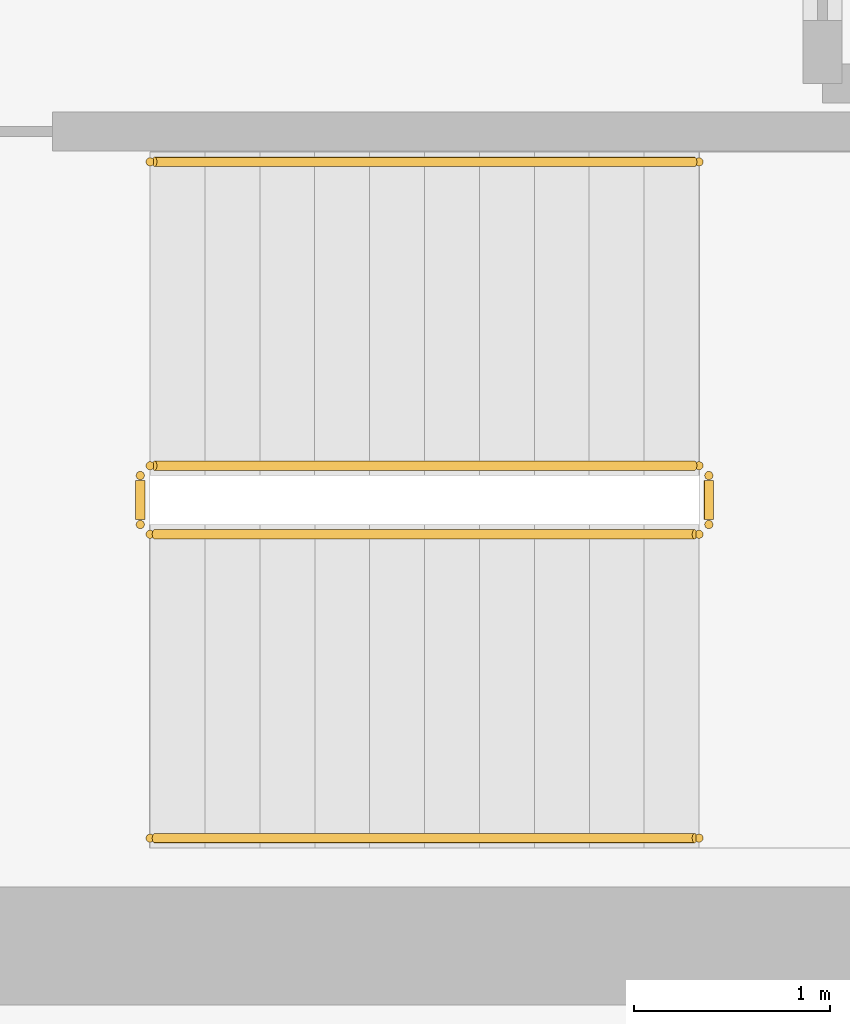
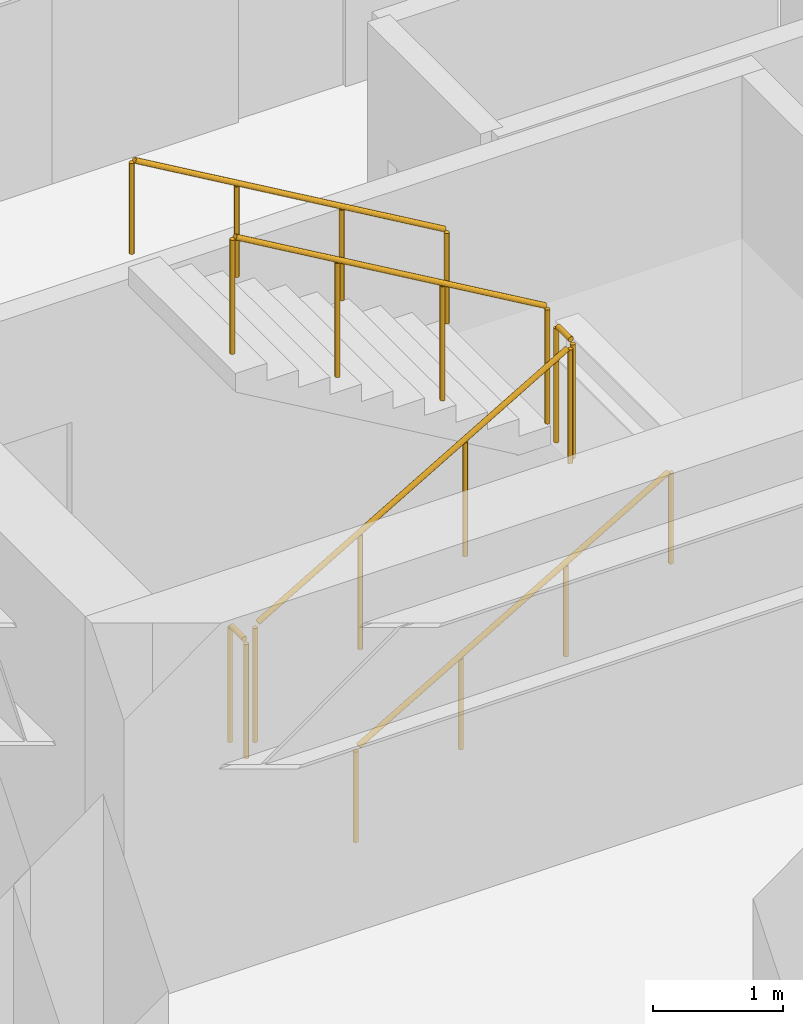
# One storey, part 12 of 12: 6 railings.
"""IFC4 building model written with IfcOpenShell, lengths in metres."""

from ifc_helpers import new_model, si_unit, direction, frame, origin, origin_2d, place, context, subcontext, project, spatial, circle, extrude, source, transform, mapped, material, layer, layer_set, type_object, element, save


model = new_model("IFC4")

# Units and contexts
model_context = context("Model", 3, precision=1e-05, world=origin(), true_north=direction((0.0, 1.0)))
body_context = subcontext(model_context, "Body", "Model", "MODEL_VIEW")
ifc_project = project(units=[si_unit("LENGTHUNIT", "METRE"), si_unit("AREAUNIT", "SQUARE_METRE"), si_unit("VOLUMEUNIT", "CUBIC_METRE"), si_unit("PLANEANGLEUNIT", "RADIAN"), si_unit("MASSUNIT", "GRAM", prefix="KILO")], contexts=[model_context])

# Site, building, storey
site_placement = place(None, origin())
site = spatial("IfcSite", under=ifc_project, at=site_placement, CompositionType="ELEMENT")
building_placement = place(site_placement, origin())
building = spatial("IfcBuilding", under=site, at=building_placement, Name="Kharzan Plaza Tower", CompositionType="ELEMENT")
storey_placement = place(building_placement, frame((0.0, 0.0, 204.300048828125)))
storey = spatial("IfcBuildingStorey", under=building, at=storey_placement, Name="L55", CompositionType="ELEMENT", Elevation=204.300048828125)

# Railings
ifc_material_1 = material(Name="Painted Galvanized Architectural Steel", Category="steel")
ifc_layer_1 = layer(ifc_material_1, 0.074951171875)
ifc_layer_set_1 = layer_set([ifc_layer_1], Name="Painted Galvanized Architectural Steel")
railing_type_1 = type_object("IfcRailingType", Name="RL-GUARD-1120", PredefinedType="BALUSTRADE", material=ifc_layer_set_1)
shared_shape_1 = source(origin(), body_context, "Body", "SweptSolid", [
    extrude(circle(Radius=0.02392578125, at=origin_2d()), frame((0.0, 0.0263671875, 1.09619140625), z_axis=(0.0, 1.0, 0.0), x_axis=(-1.0, 0.0, 0.0)), (0.0, 0.0, 1.0), 0.197021484375),
    extrude(circle(Radius=0.02099609375, at=origin_2d()), origin(), (0.0, 0.0, 1.0), 1.072021484375),
    extrude(circle(Radius=0.02099609375, at=origin_2d()), frame((0.0, 0.25, 0.0)), (0.0, 0.0, 1.0), 1.072021484375),
])
for number, where, name in (
    (1, (41.10009765625, 6.64990234375, 1.800048828125), "L55 ST-3 stair guard 2"),
    (2, (38.199951171875, 6.64990234375, 0.0), "L55 ST-3 stair guard 4"),
):
    element("IfcRailing", number, at=place(storey_placement, frame(where)), inside=storey, type_object=railing_type_1, Name=name, PredefinedType="BALUSTRADE", context=body_context, shape_type="MappedRepresentation", body=[
        mapped(shared_shape_1, transform((0.0, 0.0, 0.0), x_axis=(1.0, 0.0, 0.0), y_axis=(0.0, 1.0, 0.0), z_axis=(0.0, 0.0, 1.0))),
    ])
shared_shape_2 = source(origin(), body_context, "Body", "SweptSolid", [
    extrude(circle(Radius=0.02392578125, at=origin_2d()), frame((0.02294921875, 0.0, 1.109375), z_axis=(0.863360870873, 0.0, 0.504586966384), x_axis=(0.0, 1.0, 0.0)), (0.0, 0.0, 1.0), 3.190185546875),
    extrude(circle(Radius=0.02099609375, at=origin_2d()), origin(), (0.0, 0.0, 1.0), 1.072021484375),
    extrude(circle(Radius=0.02099609375, at=origin_2d()), frame((0.933349609375, 0.0, 0.54541015625)), (0.0, 0.0, 1.0), 1.072021484375),
    extrude(circle(Radius=0.02099609375, at=origin_2d()), frame((1.86669921875, 0.0, 1.091064453125)), (0.0, 0.0, 1.0), 1.072021484375),
    extrude(circle(Radius=0.02099609375, at=origin_2d()), frame((2.800048828125, 0.0, 1.636474609375)), (0.0, 0.0, 1.0), 1.072021484375),
])
railing_1_placement = place(storey_placement, frame((38.25, 6.60009765625, 0.16357421875)))
element("IfcRailing", 3, at=railing_1_placement, inside=storey, type_object=railing_type_1, Name="L55 ST-3 stair guard 1", PredefinedType="BALUSTRADE", context=body_context, shape_type="MappedRepresentation", body=[
    mapped(shared_shape_2, transform((0.0, 0.0, 0.0), x_axis=(1.0, 0.0, 0.0), y_axis=(0.0, 1.0, 0.0), z_axis=(0.0, 0.0, 1.0))),
])
ifc_material_2 = material(Name="Brushed Stainless Steel", Category="steel")
ifc_layer_2 = layer(ifc_material_2, 0.050048828125)
ifc_layer_set_2 = layer_set([ifc_layer_2], Name="Brushed Stainless Steel")
railing_type_2 = type_object("IfcRailingType", Name="RL-STAIR-HR920", PredefinedType="HANDRAIL", material=ifc_layer_set_2)
shared_shape_3 = source(origin(), body_context, "Body", "SweptSolid", [
    extrude(circle(Radius=0.02392578125, at=origin_2d()), frame((0.02294921875, 0.0, 0.88916015625), z_axis=(0.863360870873, 0.0, 0.504586966384), x_axis=(0.0, 1.0, 0.0)), (0.0, 0.0, 1.0), 3.190185546875),
    extrude(circle(Radius=0.02099609375, at=origin_2d()), origin(), (0.0, 0.0, 1.0), 0.851806640625),
    extrude(circle(Radius=0.02099609375, at=origin_2d()), frame((0.933349609375, 0.0, 0.54541015625)), (0.0, 0.0, 1.0), 0.851806640625),
    extrude(circle(Radius=0.02099609375, at=origin_2d()), frame((1.86669921875, 0.0, 1.091064453125)), (0.0, 0.0, 1.0), 0.851806640625),
    extrude(circle(Radius=0.02099609375, at=origin_2d()), frame((2.800048828125, 0.0, 1.636474609375)), (0.0, 0.0, 1.0), 0.851806640625),
])
railing_2_placement = place(storey_placement, frame((38.25, 5.050048828125, 0.16357421875)))
element("IfcRailing", 4, at=railing_2_placement, inside=storey, type_object=railing_type_2, Name="L55 ST-3 stair handrail 1", PredefinedType="HANDRAIL", context=body_context, shape_type="MappedRepresentation", body=[
    mapped(shared_shape_3, transform((0.0, 0.0, 0.0), x_axis=(1.0, 0.0, 0.0), y_axis=(0.0, 1.0, 0.0), z_axis=(0.0, 0.0, 1.0))),
])
shared_shape_4 = source(origin(), body_context, "Body", "SweptSolid", [
    extrude(circle(Radius=0.02392578125, at=origin_2d()), frame((-0.02294921875, 0.0, 1.109375), z_axis=(-0.863393664356, 0.0, 0.504530851732), x_axis=(0.0, -1.0, 0.0)), (0.0, 0.0, 1.0), 3.190185546875),
    extrude(circle(Radius=0.02099609375, at=origin_2d()), origin(), (0.0, 0.0, 1.0), 1.072021484375),
    extrude(circle(Radius=0.02099609375, at=origin_2d()), frame((-0.933349609375, 0.0, 0.54541015625)), (0.0, 0.0, 1.0), 1.072021484375),
    extrude(circle(Radius=0.02099609375, at=origin_2d()), frame((-1.86669921875, 0.0, 1.0908203125)), (0.0, 0.0, 1.0), 1.072021484375),
    extrude(circle(Radius=0.02099609375, at=origin_2d()), frame((-2.800048828125, 0.0, 1.63623046875)), (0.0, 0.0, 1.0), 1.072021484375),
])
railing_3_placement = place(storey_placement, frame((41.050048828125, 6.949951171875, 1.963623046875)))
element("IfcRailing", 5, at=railing_3_placement, inside=storey, type_object=railing_type_1, Name="L55 ST-3 stair guard 3", PredefinedType="BALUSTRADE", context=body_context, shape_type="MappedRepresentation", body=[
    mapped(shared_shape_4, transform((0.0, 0.0, 0.0), x_axis=(1.0, 0.0, 0.0), y_axis=(0.0, 1.0, 0.0), z_axis=(0.0, 0.0, 1.0))),
])
shared_shape_5 = source(origin(), body_context, "Body", "SweptSolid", [
    extrude(circle(Radius=0.02392578125, at=origin_2d()), frame((-0.02294921875, 0.0, 0.88916015625), z_axis=(-0.863393664356, 0.0, 0.504530851732), x_axis=(0.0, -1.0, 0.0)), (0.0, 0.0, 1.0), 3.190185546875),
    extrude(circle(Radius=0.02099609375, at=origin_2d()), origin(), (0.0, 0.0, 1.0), 0.851806640625),
    extrude(circle(Radius=0.02099609375, at=origin_2d()), frame((-0.933349609375, 0.0, 0.54541015625)), (0.0, 0.0, 1.0), 0.851806640625),
    extrude(circle(Radius=0.02099609375, at=origin_2d()), frame((-1.86669921875, 0.0, 1.0908203125)), (0.0, 0.0, 1.0), 0.851806640625),
    extrude(circle(Radius=0.02099609375, at=origin_2d()), frame((-2.800048828125, 0.0, 1.63623046875)), (0.0, 0.0, 1.0), 0.851806640625),
])
railing_4_placement = place(storey_placement, frame((41.050048828125, 8.5, 1.963623046875)))
element("IfcRailing", 6, at=railing_4_placement, inside=storey, type_object=railing_type_2, Name="L55 ST-3 stair handrail 2", PredefinedType="HANDRAIL", context=body_context, shape_type="MappedRepresentation", body=[
    mapped(shared_shape_5, transform((0.0, 0.0, 0.0), x_axis=(1.0, 0.0, 0.0), y_axis=(0.0, 1.0, 0.0), z_axis=(0.0, 0.0, 1.0))),
])

save(model, "model.ifc")
